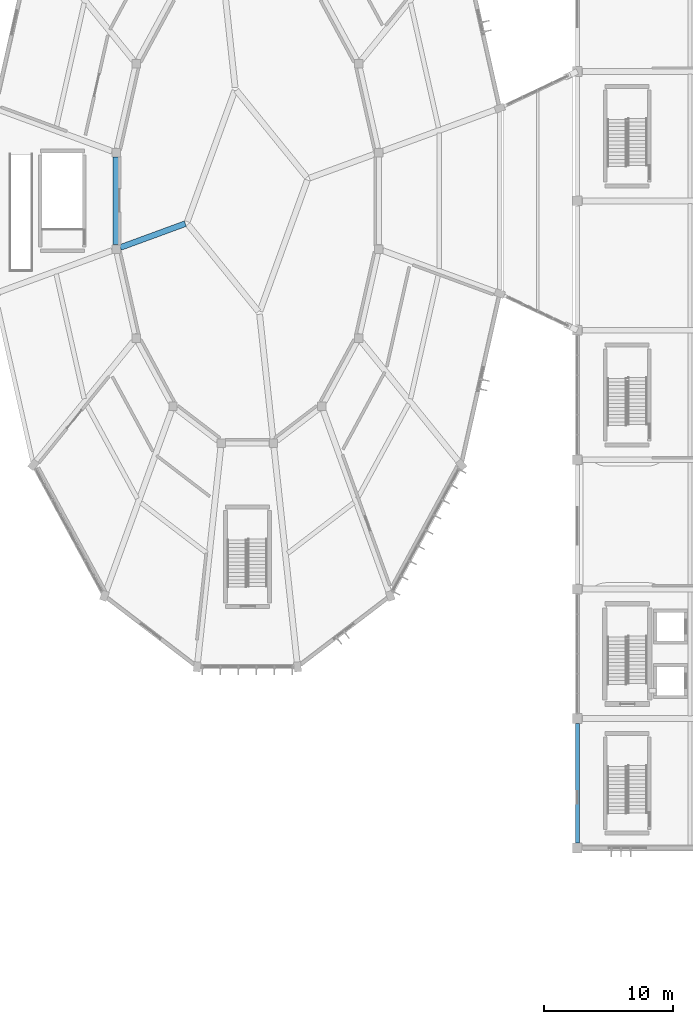
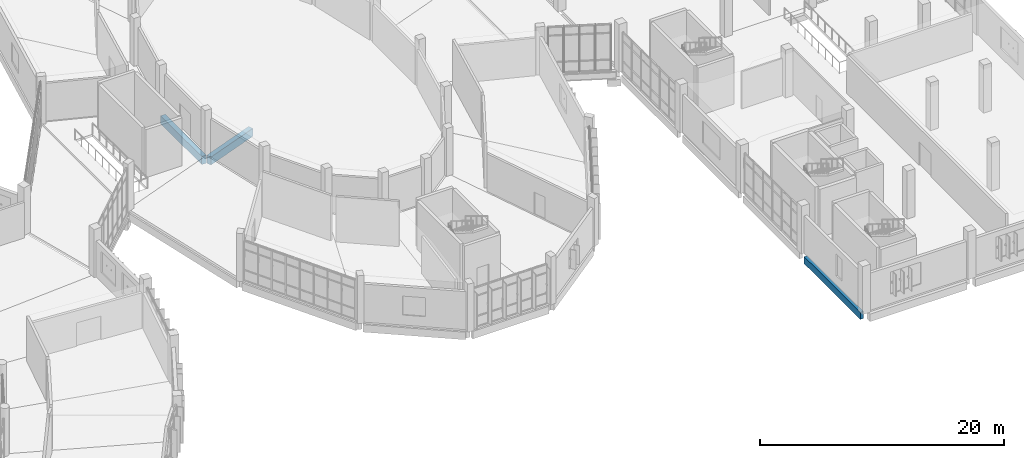
# One storey, part 50 of 179: 3 beams.
"""IFC4 building model written with IfcOpenShell, lengths in metres."""

from ifc_helpers import new_model, si_unit, direction, frame, origin, origin_2d, place, context, subcontext, project, spatial, rectangle, extrude, material, material_profile, profile_set, type_object, element, save


model = new_model("IFC4")

# Units and contexts
model_context = context("Model", 3, precision=1e-05, world=origin(), true_north=direction((0.0, 1.0)))
body_context = subcontext(model_context, "Body", "Model", "MODEL_VIEW")
ifc_project = project(units=[si_unit("LENGTHUNIT", "METRE"), si_unit("AREAUNIT", "SQUARE_METRE"), si_unit("VOLUMEUNIT", "CUBIC_METRE"), si_unit("PLANEANGLEUNIT", "RADIAN"), si_unit("MASSUNIT", "GRAM", prefix="KILO")], contexts=[model_context])

# Site, building, storey
site_placement = place(None, origin())
site = spatial("IfcSite", under=ifc_project, at=site_placement, CompositionType="ELEMENT")
building_placement = place(site_placement, origin())
building = spatial("IfcBuilding", under=site, at=building_placement, Name="Corvandel Quay Wholesale Market", CompositionType="ELEMENT")
storey_placement = place(building_placement, frame((0.0, 0.0, 6.0)))
storey = spatial("IfcBuildingStorey", under=building, at=storey_placement, Name="L01", CompositionType="ELEMENT", Elevation=6.0)

# Beams
ifc_material = material(Name="Precast concrete C45/55", Category="concrete")
ifc_material_profile_1 = material_profile(ifc_material, rectangle(XDim=0.449951171875, YDim=0.800048828125, at=origin_2d()), Name="PC-GIR-450x800")
ifc_profile_set_1 = profile_set([ifc_material_profile_1], Name="Precast concrete C45/55")
beam_type_1 = type_object("IfcBeamType", Name="Auction Pavilion Girder G05 450x800", PredefinedType="USERDEFINED", material=ifc_profile_set_1)
beam_1_placement = place(storey_placement, frame((184.683837890625, 56.39501953125, -0.639892578125), z_axis=(0.938713463289, 0.344698467997, 0.0), x_axis=(-0.344698467997, 0.938713463289, 0.0)))
element("IfcBeam", 1, at=beam_1_placement, inside=storey, type_object=beam_type_1, Name="Beam BM-0766", ObjectType="GIRDER", PredefinedType="USERDEFINED", context=body_context, shape_type="SweptSolid", body=[
    extrude(rectangle(XDim=0.449951171875, YDim=0.800048828125, at=origin_2d()), origin(), (0.0, 0.0, 1.0), 5.349609375),
])
beam_2_placement = place(storey_placement, frame((184.360107421875, 63.37890625, -0.639892578125), z_axis=(0.0, -1.0, 0.0), x_axis=(1.0, 0.0, 0.0)))
element("IfcBeam", 2, at=beam_2_placement, inside=storey, type_object=beam_type_1, Name="Beam BM-0843", ObjectType="GIRDER", PredefinedType="USERDEFINED", context=body_context, shape_type="SweptSolid", body=[
    extrude(rectangle(XDim=0.449951171875, YDim=0.800048828125, at=origin_2d()), origin(), (0.0, 0.0, 1.0), 6.7578125),
])
ifc_material_profile_2 = material_profile(ifc_material, rectangle(XDim=0.300048828125, YDim=0.699951171875, at=origin_2d()), Name="PC-SPN-300x700")
ifc_profile_set_2 = profile_set([ifc_material_profile_2], Name="Precast concrete C45/55")
beam_type_2 = type_object("IfcBeamType", Name="Terrace Edge Spandrel SP03 300x700", PredefinedType="SPANDREL", material=ifc_profile_set_2)
beam_3_placement = place(storey_placement, frame((220.0, 10.39501953125, -0.669921875), z_axis=(0.0, 1.0, 0.0), x_axis=(-1.0, 0.0, 0.0)))
element("IfcBeam", 3, at=beam_3_placement, inside=storey, type_object=beam_type_2, Name="Beam BM-1439", PredefinedType="SPANDREL", context=body_context, shape_type="SweptSolid", body=[
    extrude(rectangle(XDim=0.300048828125, YDim=0.699951171875, at=origin_2d()), origin(), (0.0, 0.0, 1.0), 9.2099609375),
])

save(model, "model.ifc")
